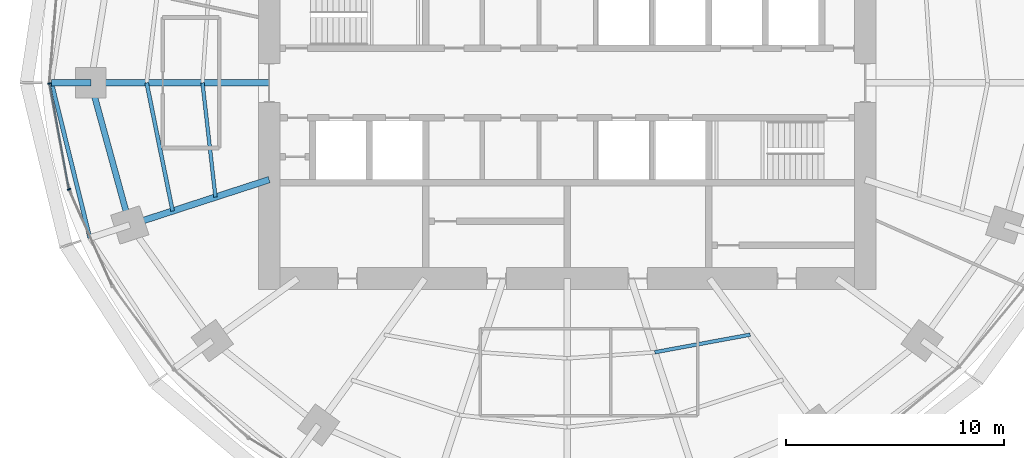
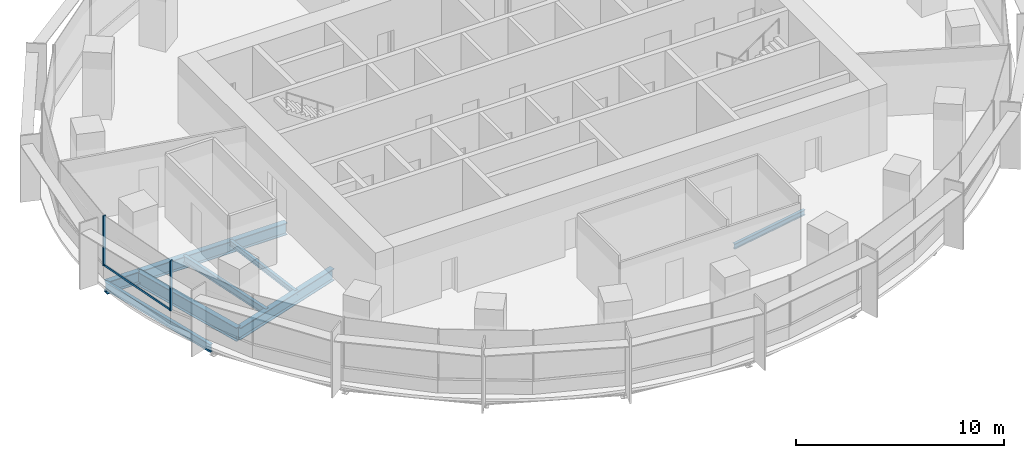
# One storey, part 3 of 14: 8 beams, 3 members, 1 element without a shape of its own.
"""IFC4 building model written with IfcOpenShell, lengths in metres."""

from ifc_helpers import new_model, si_unit, direction, frame, origin, origin_2d, place, context, subcontext, project, spatial, rectangle, i_section, extrude, material, material_profile, profile_set, type_object, element, aggregate, save


model = new_model("IFC4")

# Units and contexts
model_context = context("Model", 3, precision=1e-05, world=origin(), true_north=direction((0.0, 1.0)))
body_context = subcontext(model_context, "Body", "Model", "MODEL_VIEW")
ifc_project = project(units=[si_unit("LENGTHUNIT", "METRE"), si_unit("AREAUNIT", "SQUARE_METRE"), si_unit("VOLUMEUNIT", "CUBIC_METRE"), si_unit("PLANEANGLEUNIT", "RADIAN"), si_unit("MASSUNIT", "GRAM", prefix="KILO")], contexts=[model_context])

# Site, building, storey
site_placement = place(None, origin())
site = spatial("IfcSite", under=ifc_project, at=site_placement, CompositionType="ELEMENT")
building_placement = place(site_placement, origin())
building = spatial("IfcBuilding", under=site, at=building_placement, Name="Marramba Exchange Tower", CompositionType="ELEMENT")
storey_placement = place(building_placement, frame((0.0, 0.0, 215.0)))
storey = spatial("IfcBuildingStorey", under=building, at=storey_placement, Name="L52", CompositionType="ELEMENT", Elevation=215.0)

# Beams
ifc_material_1 = material(Name="Steel AS/NZS 3679.2 grade 300", Category="steel")
ifc_material_profile_1 = material_profile(ifc_material_1, i_section(OverallWidth=0.300048828125, OverallDepth=0.699951171875, WebThickness=0.010009765625, FlangeThickness=0.031982421875, at=origin_2d()), Name="700WB173")
ifc_profile_set_1 = profile_set([ifc_material_profile_1], Name="Steel AS/NZS 3679.2 grade 300")
beam_type_1 = type_object("IfcBeamType", Name="Cantilever girder 700WB173", PredefinedType="BEAM", material=ifc_profile_set_1)
beam_1_placement = place(storey_placement, frame((-21.89990234375, 0.0, -0.510009765625), z_axis=(-1.0, 0.0, 0.0), x_axis=(0.0, -1.0, 0.0)))
element("IfcBeam", 1, at=beam_1_placement, inside=storey, type_object=beam_type_1, Name="Cantilever girder L52 TC11", PredefinedType="BEAM", context=body_context, shape_type="SweptSolid", body=[
    extrude(i_section(OverallWidth=0.300048828125, OverallDepth=0.699951171875, WebThickness=0.010009765625, FlangeThickness=0.031982421875, at=origin_2d()), origin(), (0.0, 0.0, 1.0), 1.80615234375),
])
ifc_material_2 = material(Name="Steel AS/NZS 3679.1 grade 300", Category="steel")
ifc_material_profile_2 = material_profile(ifc_material_2, i_section(OverallWidth=0.166015625, OverallDepth=0.306884765625, WebThickness=0.006591796875, FlangeThickness=0.01171875, FilletRadius=0.011474609375, at=origin_2d()), Name="310UB46.2")
ifc_profile_set_2 = profile_set([ifc_material_profile_2], Name="Steel AS/NZS 3679.1 grade 300")
beam_type_2 = type_object("IfcBeamType", Name="Floor joist 310UB46.2", PredefinedType="JOIST", material=ifc_profile_set_2)
beam_2_placement = place(storey_placement, frame((-16.7666015625, 0.0, -0.3134765625), z_axis=(0.112888968594, -0.993607609054, 0.0), x_axis=(0.993607609054, 0.112888968594, 0.0)))
element("IfcBeam", 2, at=beam_2_placement, inside=storey, type_object=beam_type_2, Name="Joist L52 bay 11 row 1", PredefinedType="JOIST", context=body_context, shape_type="SweptSolid", body=[
    extrude(i_section(OverallWidth=0.166015625, OverallDepth=0.306884765625, WebThickness=0.006591796875, FlangeThickness=0.01171875, FilletRadius=0.011474609375, at=origin_2d()), origin(), (0.0, 0.0, 1.0), 5.28759765625),
])
beam_3_placement = place(storey_placement, frame((4.0244140625, -12.3857421875, -0.3134765625), z_axis=(0.983455754421, 0.181148500119, 0.0), x_axis=(-0.181148500119, 0.983455754421, 0.0)))
element("IfcBeam", 3, at=beam_3_placement, inside=storey, type_object=beam_type_2, Name="Joist L52 bay 17 row 1", PredefinedType="JOIST", context=body_context, shape_type="SweptSolid", body=[
    extrude(i_section(OverallWidth=0.166015625, OverallDepth=0.306884765625, WebThickness=0.006591796875, FlangeThickness=0.01171875, FilletRadius=0.011474609375, at=origin_2d()), origin(), (0.0, 0.0, 1.0), 4.4609375),
])
ifc_material_profile_3 = material_profile(ifc_material_2, i_section(OverallWidth=0.177978515625, OverallDepth=0.406005859375, WebThickness=0.0078125, FlangeThickness=0.0126953125, FilletRadius=0.011474609375, at=origin_2d()), Name="410UB59.7")
ifc_profile_set_3 = profile_set([ifc_material_profile_3], Name="Steel AS/NZS 3679.1 grade 300")
beam_type_3 = type_object("IfcBeamType", Name="Floor joist 410UB59.7", PredefinedType="JOIST", material=ifc_profile_set_3)
beam_4_placement = place(storey_placement, frame((-19.333251953125, 0.0, -0.363037109375), z_axis=(0.198489047047, -0.980103105904, 0.0), x_axis=(0.980103105904, 0.198489047047, 0.0)))
element("IfcBeam", 4, at=beam_4_placement, inside=storey, type_object=beam_type_3, Name="Joist L52 bay 11 row 2", PredefinedType="JOIST", context=body_context, shape_type="SweptSolid", body=[
    extrude(i_section(OverallWidth=0.177978515625, OverallDepth=0.406005859375, WebThickness=0.0078125, FlangeThickness=0.0126953125, FilletRadius=0.011474609375, at=origin_2d()), origin(), (0.0, 0.0, 1.0), 6.013427734375),
])

# Curtain wall, members
ifc_material_3 = material(Name="Aluminium framing, bronze anodised", Category="aluminium")
curtain_wall_type = type_object("IfcCurtainWallType", Name="Office ribbon curtain wall", PredefinedType="USERDEFINED", material=ifc_material_3)
curtain_wall_placement = place(storey_placement, origin())
curtain_wall = element("IfcCurtainWall", 5, at=curtain_wall_placement, inside=storey, type_object=curtain_wall_type, Name="Curtain wall CW4 L52 F16-F20", ObjectType="RIBBON CURTAIN WALL", PredefinedType="USERDEFINED")
ifc_material_4 = material(Name="Aluminium mullion, bronze anodised", Category="aluminium")
ifc_material_profile_4 = material_profile(ifc_material_4, rectangle(XDim=0.159912109375, YDim=0.06005859375, at=origin_2d()), Name="CW4 mullion 60x160")
ifc_profile_set_4 = profile_set([ifc_material_profile_4], Name="Aluminium mullion, bronze anodised")
member_type_1 = type_object("IfcMemberType", Name="Office ribbon curtain wall mullion", PredefinedType="MULLION", material=ifc_profile_set_4)
member_1_placement = place(storey_placement, frame((-23.800537109375, -0.029541015625, 0.800048828125), z_axis=(0.0, 0.0, 1.0), x_axis=(0.983606636184, 0.180327438996, 0.0)))
member_1 = element("IfcMember", 6, at=member_1_placement, type_object=member_type_1, Name="CW4 mullion 1", PredefinedType="MULLION", context=body_context, shape_type="SweptSolid", body=[
    extrude(rectangle(XDim=0.159912109375, YDim=0.06005859375, at=origin_2d()), origin(), (0.0, 0.0, 1.0), 2.93994140625),
])
member_2_placement = place(storey_placement, frame((-22.90087890625, -4.897705078125, 0.800048828125), z_axis=(0.0, 0.0, 1.0), x_axis=(0.913179510401, 0.407557580942, 0.0)))
member_2 = element("IfcMember", 7, at=member_2_placement, type_object=member_type_1, Name="CW4 mullion 1", PredefinedType="MULLION", context=body_context, shape_type="SweptSolid", body=[
    extrude(rectangle(XDim=0.159912109375, YDim=0.06005859375, at=origin_2d()), origin(), (0.0, 0.0, 1.0), 2.93994140625),
])
ifc_material_5 = material(Name="Aluminium transom, bronze anodised", Category="aluminium")
ifc_material_profile_5 = material_profile(ifc_material_5, rectangle(XDim=0.06005859375, YDim=0.1201171875, at=origin_2d()), Name="CW4 transom 60x120")
ifc_profile_set_5 = profile_set([ifc_material_profile_5], Name="Aluminium transom, bronze anodised")
member_type_2 = type_object("IfcMemberType", Name="Office ribbon curtain wall transom", PredefinedType="USERDEFINED", material=ifc_profile_set_5)
member_3_placement = place(storey_placement, frame((-23.795166015625, -0.05908203125, 0.830078125), z_axis=(0.180330283276, -0.98360611473, 0.0), x_axis=(0.98360611473, 0.180330283276, 0.0)))
member_3 = element("IfcMember", 8, at=member_3_placement, type_object=member_type_2, Name="CW4 sill transom", ObjectType="TRANSOM", PredefinedType="USERDEFINED", context=body_context, shape_type="SweptSolid", body=[
    extrude(rectangle(XDim=0.06005859375, YDim=0.1201171875, at=origin_2d()), origin(), (0.0, 0.0, 1.0), 4.891357421875),
])
aggregate(curtain_wall, [member_1, member_3, member_2])

# Beams
ifc_material_profile_6 = material_profile(ifc_material_1, i_section(OverallWidth=0.300048828125, OverallDepth=0.699951171875, WebThickness=0.010009765625, FlangeThickness=0.031982421875, at=origin_2d()), Name="700WB173")
ifc_profile_set_6 = profile_set([ifc_material_profile_6], Name="Steel AS/NZS 3679.2 grade 300")
beam_type_4 = type_object("IfcBeamType", Name="Radial girder 700WB173", PredefinedType="BEAM", material=ifc_profile_set_6)
beam_5_placement = place(storey_placement, frame((-13.699951171875, 0.0, -0.510009765625), z_axis=(-1.0, 0.0, 0.0), x_axis=(0.0, -1.0, 0.0)))
element("IfcBeam", 9, at=beam_5_placement, inside=storey, type_object=beam_type_4, Name="Radial girder L52 TC11", PredefinedType="BEAM", context=body_context, shape_type="SweptSolid", body=[
    extrude(i_section(OverallWidth=0.300048828125, OverallDepth=0.699951171875, WebThickness=0.010009765625, FlangeThickness=0.031982421875, at=origin_2d()), origin(), (0.0, 0.0, 1.0), 8.199951171875),
])
beam_6_placement = place(storey_placement, frame((-13.699951171875, -4.451416015625, -0.510009765625), z_axis=(-0.951057759669, -0.309013167637, 0.0), x_axis=(0.309013167637, -0.951057759669, 0.0)))
element("IfcBeam", 10, at=beam_6_placement, inside=storey, type_object=beam_type_4, Name="Radial girder L52 TC12", PredefinedType="BEAM", context=body_context, shape_type="SweptSolid", body=[
    extrude(i_section(OverallWidth=0.300048828125, OverallDepth=0.699951171875, WebThickness=0.010009765625, FlangeThickness=0.031982421875, at=origin_2d()), origin(), (0.0, 0.0, 1.0), 6.7392578125),
])
ifc_material_profile_7 = material_profile(ifc_material_1, i_section(OverallWidth=0.27490234375, OverallDepth=0.800048828125, WebThickness=0.010009765625, FlangeThickness=0.02490234375, at=origin_2d()), Name="800WB168")
ifc_profile_set_7 = profile_set([ifc_material_profile_7], Name="Steel AS/NZS 3679.2 grade 300")
beam_type_5 = type_object("IfcBeamType", Name="Ring beam 800WB168", PredefinedType="SPANDREL", material=ifc_profile_set_7)
beam_7_placement = place(storey_placement, frame((-21.89990234375, 0.0, -0.56005859375), z_axis=(0.264291166956, -0.964442937176, 0.0), x_axis=(0.964442937176, 0.264291166956, 0.0)))
element("IfcBeam", 11, at=beam_7_placement, inside=storey, type_object=beam_type_5, Name="Ring beam L52 TC11-TC12", PredefinedType="SPANDREL", context=body_context, shape_type="SweptSolid", body=[
    extrude(i_section(OverallWidth=0.27490234375, OverallDepth=0.800048828125, WebThickness=0.010009765625, FlangeThickness=0.02490234375, at=origin_2d()), origin(), (0.0, 0.0, 1.0), 6.77490234375),
])
ifc_material_profile_8 = material_profile(ifc_material_2, i_section(OverallWidth=0.19091796875, OverallDepth=0.4599609375, WebThickness=0.010009765625, FlangeThickness=0.01611328125, FilletRadius=0.011474609375, at=origin_2d()), Name="460UB82.1")
ifc_profile_set_8 = profile_set([ifc_material_profile_8], Name="Steel AS/NZS 3679.1 grade 300")
beam_type_6 = type_object("IfcBeamType", Name="Slab edge beam 460UB82.1", PredefinedType="SPANDREL", material=ifc_profile_set_8)
beam_8_placement = place(storey_placement, frame((-23.7060546875, 0.0, -0.389892578125), z_axis=(0.23973454413, -0.970838476963, 0.0), x_axis=(0.970838476963, 0.23973454413, 0.0)))
element("IfcBeam", 12, at=beam_8_placement, inside=storey, type_object=beam_type_6, Name="Slab edge beam L52 TC11-TC12", PredefinedType="SPANDREL", context=body_context, shape_type="SweptSolid", body=[
    extrude(i_section(OverallWidth=0.19091796875, OverallDepth=0.4599609375, WebThickness=0.010009765625, FlangeThickness=0.01611328125, FilletRadius=0.011474609375, at=origin_2d()), origin(), (0.0, 0.0, 1.0), 7.344482421875),
])

save(model, "model.ifc")
